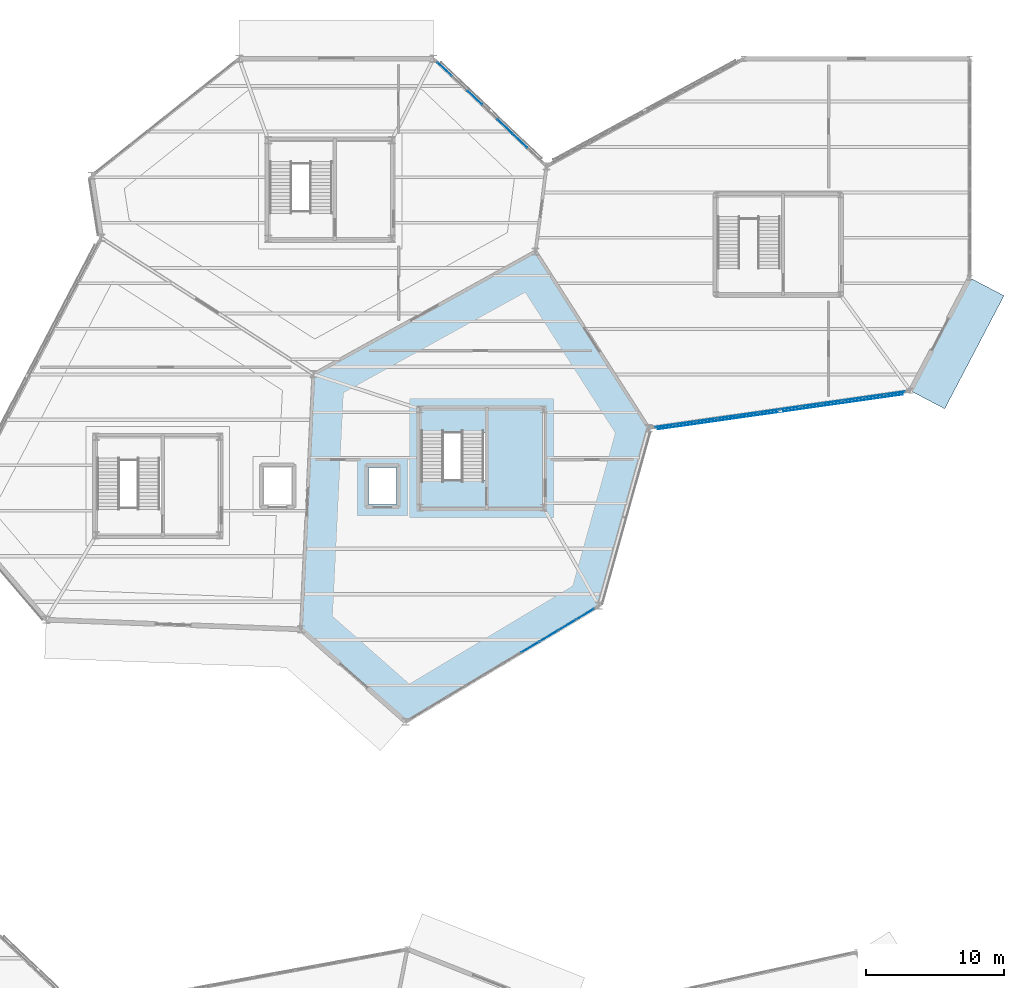
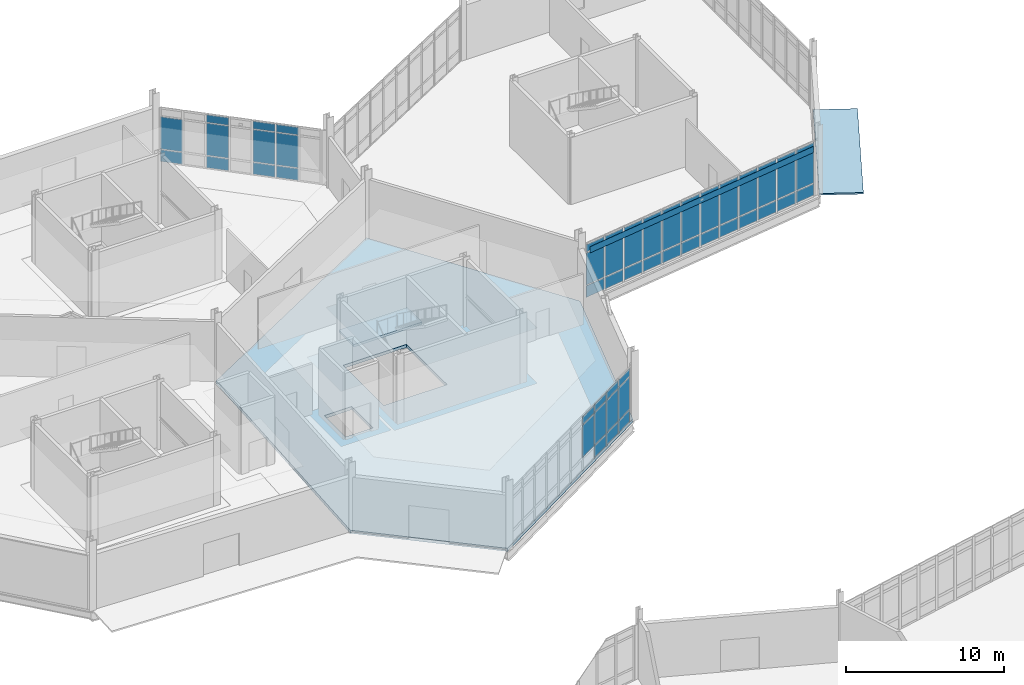
# One storey, part 82 of 113: 59 plates, 3 slabs, 4 elements without a shape of their own.
"""IFC4 building model written with IfcOpenShell, lengths in metres."""

from ifc_helpers import new_model, si_unit, direction, frame, origin, origin_2d, place, context, subcontext, project, spatial, polyline, rectangle, outline, extrude, material, layer, layer_set, type_object, element, aggregate, save


model = new_model("IFC4")

# Units and contexts
model_context = context("Model", 3, precision=1e-05, world=origin(), true_north=direction((0.0, 1.0)))
body_context = subcontext(model_context, "Body", "Model", "MODEL_VIEW")
ifc_project = project(units=[si_unit("LENGTHUNIT", "METRE"), si_unit("AREAUNIT", "SQUARE_METRE"), si_unit("VOLUMEUNIT", "CUBIC_METRE"), si_unit("PLANEANGLEUNIT", "RADIAN"), si_unit("MASSUNIT", "GRAM", prefix="KILO")], contexts=[model_context])

# Site, building, storey
site_placement = place(None, origin())
site = spatial("IfcSite", under=ifc_project, at=site_placement, CompositionType="ELEMENT")
building_placement = place(site_placement, origin())
building = spatial("IfcBuilding", under=site, at=building_placement, Name="Tameran Prism Museum", CompositionType="ELEMENT")
storey_placement = place(building_placement, origin())
storey = spatial("IfcBuildingStorey", under=building, at=storey_placement, Name="L00", CompositionType="ELEMENT", Elevation=0.0)

# Curtain wall, plates
ifc_material_1 = material(Name="Anodised Aluminium 6063-T6 and Cyclone Solar Glass", Category="aluminium")
curtain_wall_type_1 = type_object("IfcCurtainWallType", Name="CW-FAC-1563x422", PredefinedType="USERDEFINED", material=ifc_material_1)
curtain_wall_1_placement = place(storey_placement, origin())
curtain_wall_1 = element("IfcCurtainWall", 1, at=curtain_wall_1_placement, inside=storey, type_object=curtain_wall_type_1, Name="Unitised Curtain Wall CW-022", ObjectType="UNITISED CURTAIN WALL", PredefinedType="USERDEFINED")
ifc_material_2 = material(Name="Low-E Laminated Solar Glass", Category="glass")
ifc_layer_1 = layer(ifc_material_2, 0.028076171875)
ifc_layer_set_1 = layer_set([ifc_layer_1])
plate_type_1 = type_object("IfcPlateType", Name="CW-PNL-G28", PredefinedType="CURTAIN_PANEL", material=ifc_layer_set_1)
plate_1_placement = place(storey_placement, frame((138.512939453125, 71.707763671875, 0.080078125), z_axis=(0.0, 0.0, 1.0), x_axis=(-0.857492925713, -0.514495755426, 0.0)))
plate_1 = element("IfcPlate", 2, at=plate_1_placement, type_object=plate_type_1, Name="CW-022 panel 1.1", PredefinedType="CURTAIN_PANEL", context=body_context, shape_type="SweptSolid", body=[
    extrude(rectangle(XDim=1.442626953125, YDim=0.028076171875, at=origin_2d()), origin(), (0.0, 0.0, 1.0), 0.8798828125),
])
plate_2_placement = place(storey_placement, frame((138.512939453125, 71.707763671875, 1.0400390625), z_axis=(0.0, 0.0, 1.0), x_axis=(-0.857492925713, -0.514495755426, 0.0)))
plate_2 = element("IfcPlate", 3, at=plate_2_placement, type_object=plate_type_1, Name="CW-022 panel 1.2", PredefinedType="CURTAIN_PANEL", context=body_context, shape_type="SweptSolid", body=[
    extrude(rectangle(XDim=1.442626953125, YDim=0.028076171875, at=origin_2d()), origin(), (0.0, 0.0, 1.0), 2.4599609375),
])
plate_3_placement = place(storey_placement, frame((138.512939453125, 71.707763671875, 3.580078125), z_axis=(0.0, 0.0, 1.0), x_axis=(-0.857492925713, -0.514495755426, 0.0)))
plate_3 = element("IfcPlate", 4, at=plate_3_placement, type_object=plate_type_1, Name="CW-022 panel 1.3", PredefinedType="CURTAIN_PANEL", context=body_context, shape_type="SweptSolid", body=[
    extrude(rectangle(XDim=1.442626953125, YDim=0.028076171875, at=origin_2d()), origin(), (0.0, 0.0, 1.0), 0.56005859375),
])
plate_4_placement = place(storey_placement, frame((137.18994140625, 70.9140625, 0.080078125), z_axis=(0.0, 0.0, 1.0), x_axis=(-0.857492925713, -0.514495755426, 0.0)))
plate_4 = element("IfcPlate", 5, at=plate_4_placement, type_object=plate_type_1, Name="CW-022 panel 2.1", PredefinedType="CURTAIN_PANEL", context=body_context, shape_type="SweptSolid", body=[
    extrude(rectangle(XDim=1.482666015625, YDim=0.028076171875, at=origin_2d()), origin(), (0.0, 0.0, 1.0), 0.8798828125),
])
plate_5_placement = place(storey_placement, frame((137.18994140625, 70.9140625, 1.0400390625), z_axis=(0.0, 0.0, 1.0), x_axis=(-0.857492925713, -0.514495755426, 0.0)))
plate_5 = element("IfcPlate", 6, at=plate_5_placement, type_object=plate_type_1, Name="CW-022 panel 2.2", PredefinedType="CURTAIN_PANEL", context=body_context, shape_type="SweptSolid", body=[
    extrude(rectangle(XDim=1.482666015625, YDim=0.028076171875, at=origin_2d()), origin(), (0.0, 0.0, 1.0), 2.4599609375),
])
plate_6_placement = place(storey_placement, frame((137.18994140625, 70.9140625, 3.580078125), z_axis=(0.0, 0.0, 1.0), x_axis=(-0.857492925713, -0.514495755426, 0.0)))
plate_6 = element("IfcPlate", 7, at=plate_6_placement, type_object=plate_type_1, Name="CW-022 panel 2.3", PredefinedType="CURTAIN_PANEL", context=body_context, shape_type="SweptSolid", body=[
    extrude(rectangle(XDim=1.482666015625, YDim=0.028076171875, at=origin_2d()), origin(), (0.0, 0.0, 1.0), 0.56005859375),
])
plate_7_placement = place(storey_placement, frame((135.85009765625, 70.110107421875, 0.080078125), z_axis=(0.0, 0.0, 1.0), x_axis=(-0.857492925713, -0.514495755426, 0.0)))
plate_7 = element("IfcPlate", 8, at=plate_7_placement, type_object=plate_type_1, Name="CW-022 panel 3.1", PredefinedType="CURTAIN_PANEL", context=body_context, shape_type="SweptSolid", body=[
    extrude(rectangle(XDim=1.482666015625, YDim=0.028076171875, at=origin_2d()), origin(), (0.0, 0.0, 1.0), 0.8798828125),
])
plate_8_placement = place(storey_placement, frame((135.85009765625, 70.110107421875, 1.0400390625), z_axis=(0.0, 0.0, 1.0), x_axis=(-0.857492925713, -0.514495755426, 0.0)))
plate_8 = element("IfcPlate", 9, at=plate_8_placement, type_object=plate_type_1, Name="CW-022 panel 3.2", PredefinedType="CURTAIN_PANEL", context=body_context, shape_type="SweptSolid", body=[
    extrude(rectangle(XDim=1.482666015625, YDim=0.028076171875, at=origin_2d()), origin(), (0.0, 0.0, 1.0), 2.4599609375),
])
plate_9_placement = place(storey_placement, frame((135.85009765625, 70.110107421875, 3.580078125), z_axis=(0.0, 0.0, 1.0), x_axis=(-0.857492925713, -0.514495755426, 0.0)))
plate_9 = element("IfcPlate", 10, at=plate_9_placement, type_object=plate_type_1, Name="CW-022 panel 3.3", PredefinedType="CURTAIN_PANEL", context=body_context, shape_type="SweptSolid", body=[
    extrude(rectangle(XDim=1.482666015625, YDim=0.028076171875, at=origin_2d()), origin(), (0.0, 0.0, 1.0), 0.56005859375),
])
plate_10_placement = place(storey_placement, frame((134.510009765625, 69.305908203125, 1.0400390625), z_axis=(0.0, 0.0, 1.0), x_axis=(-0.857492925713, -0.514495755426, 0.0)))
plate_10 = element("IfcPlate", 11, at=plate_10_placement, type_object=plate_type_1, Name="CW-022 panel 4.2", PredefinedType="CURTAIN_PANEL", context=body_context, shape_type="SweptSolid", body=[
    extrude(rectangle(XDim=1.482666015625, YDim=0.028076171875, at=origin_2d()), origin(), (0.0, 0.0, 1.0), 2.4599609375),
])
plate_11_placement = place(storey_placement, frame((134.510009765625, 69.305908203125, 3.580078125), z_axis=(0.0, 0.0, 1.0), x_axis=(-0.857492925713, -0.514495755426, 0.0)))
plate_11 = element("IfcPlate", 12, at=plate_11_placement, type_object=plate_type_1, Name="CW-022 panel 4.3", PredefinedType="CURTAIN_PANEL", context=body_context, shape_type="SweptSolid", body=[
    extrude(rectangle(XDim=1.482666015625, YDim=0.028076171875, at=origin_2d()), origin(), (0.0, 0.0, 1.0), 0.56005859375),
])
aggregate(curtain_wall_1, [plate_1, plate_2, plate_3, plate_4, plate_5, plate_6, plate_7, plate_8, plate_9, plate_10, plate_11])

ifc_material_3 = material(Name="Anodised Aluminium 6063-T6 and Cyclone Solar Glass", Category="aluminium")
curtain_wall_type_2 = type_object("IfcCurtainWallType", Name="CW-FAC-1843x422", PredefinedType="USERDEFINED", material=ifc_material_3)
curtain_wall_2_placement = place(storey_placement, origin())
curtain_wall_2 = element("IfcCurtainWall", 13, at=curtain_wall_2_placement, inside=storey, type_object=curtain_wall_type_2, Name="Unitised Curtain Wall CW-025", ObjectType="UNITISED CURTAIN WALL", PredefinedType="USERDEFINED")
plate_12_placement = place(storey_placement, frame((160.97412109375, 87.740234375, 0.0751953125), z_axis=(0.0, 0.0, 1.0), x_axis=(-0.990045842067, -0.1407452685, 0.0)))
plate_12 = element("IfcPlate", 14, at=plate_12_placement, type_object=plate_type_1, Name="CW-025 panel 1.1", PredefinedType="CURTAIN_PANEL", context=body_context, shape_type="SweptSolid", body=[
    extrude(rectangle(XDim=1.42333984375, YDim=0.028076171875, at=origin_2d()), origin(), (0.0, 0.0, 1.0), 0.887451171875),
])
plate_13_placement = place(storey_placement, frame((160.97412109375, 87.740234375, 1.03759765625), z_axis=(0.0, 0.0, 1.0), x_axis=(-0.990045842067, -0.1407452685, 0.0)))
plate_13 = element("IfcPlate", 15, at=plate_13_placement, type_object=plate_type_1, Name="CW-025 panel 1.2", PredefinedType="CURTAIN_PANEL", context=body_context, shape_type="SweptSolid", body=[
    extrude(rectangle(XDim=1.42333984375, YDim=0.028076171875, at=origin_2d()), origin(), (0.0, 0.0, 1.0), 2.465087890625),
])
plate_14_placement = place(storey_placement, frame((160.97412109375, 87.740234375, 3.57763671875), z_axis=(0.0, 0.0, 1.0), x_axis=(-0.990045842067, -0.1407452685, 0.0)))
plate_14 = element("IfcPlate", 16, at=plate_14_placement, type_object=plate_type_1, Name="CW-025 panel 1.3", PredefinedType="CURTAIN_PANEL", context=body_context, shape_type="SweptSolid", body=[
    extrude(rectangle(XDim=1.42333984375, YDim=0.028076171875, at=origin_2d()), origin(), (0.0, 0.0, 1.0), 0.5673828125),
])
plate_15_placement = place(storey_placement, frame((159.47216796875, 87.52685546875, 0.0751953125), z_axis=(0.0, 0.0, 1.0), x_axis=(-0.990045842067, -0.1407452685, 0.0)))
plate_15 = element("IfcPlate", 17, at=plate_15_placement, type_object=plate_type_1, Name="CW-025 panel 2.1", PredefinedType="CURTAIN_PANEL", context=body_context, shape_type="SweptSolid", body=[
    extrude(rectangle(XDim=1.4609375, YDim=0.028076171875, at=origin_2d()), origin(), (0.0, 0.0, 1.0), 0.887451171875),
])
plate_16_placement = place(storey_placement, frame((159.47216796875, 87.52685546875, 1.03759765625), z_axis=(0.0, 0.0, 1.0), x_axis=(-0.990045842067, -0.1407452685, 0.0)))
plate_16 = element("IfcPlate", 18, at=plate_16_placement, type_object=plate_type_1, Name="CW-025 panel 2.2", PredefinedType="CURTAIN_PANEL", context=body_context, shape_type="SweptSolid", body=[
    extrude(rectangle(XDim=1.4609375, YDim=0.028076171875, at=origin_2d()), origin(), (0.0, 0.0, 1.0), 2.465087890625),
])
plate_17_placement = place(storey_placement, frame((159.47216796875, 87.52685546875, 3.57763671875), z_axis=(0.0, 0.0, 1.0), x_axis=(-0.990045842067, -0.1407452685, 0.0)))
plate_17 = element("IfcPlate", 19, at=plate_17_placement, type_object=plate_type_1, Name="CW-025 panel 2.3", PredefinedType="CURTAIN_PANEL", context=body_context, shape_type="SweptSolid", body=[
    extrude(rectangle(XDim=1.4609375, YDim=0.028076171875, at=origin_2d()), origin(), (0.0, 0.0, 1.0), 0.5673828125),
])
plate_18_placement = place(storey_placement, frame((157.95166015625, 87.310546875, 0.0751953125), z_axis=(0.0, 0.0, 1.0), x_axis=(-0.990045842067, -0.1407452685, 0.0)))
plate_18 = element("IfcPlate", 20, at=plate_18_placement, type_object=plate_type_1, Name="CW-025 panel 3.1", PredefinedType="CURTAIN_PANEL", context=body_context, shape_type="SweptSolid", body=[
    extrude(rectangle(XDim=1.4609375, YDim=0.028076171875, at=origin_2d()), origin(), (0.0, 0.0, 1.0), 0.887451171875),
])
plate_19_placement = place(storey_placement, frame((157.95166015625, 87.310546875, 1.03759765625), z_axis=(0.0, 0.0, 1.0), x_axis=(-0.990045842067, -0.1407452685, 0.0)))
plate_19 = element("IfcPlate", 21, at=plate_19_placement, type_object=plate_type_1, Name="CW-025 panel 3.2", PredefinedType="CURTAIN_PANEL", context=body_context, shape_type="SweptSolid", body=[
    extrude(rectangle(XDim=1.4609375, YDim=0.028076171875, at=origin_2d()), origin(), (0.0, 0.0, 1.0), 2.465087890625),
])
plate_20_placement = place(storey_placement, frame((157.95166015625, 87.310546875, 3.57763671875), z_axis=(0.0, 0.0, 1.0), x_axis=(-0.990045842067, -0.1407452685, 0.0)))
plate_20 = element("IfcPlate", 22, at=plate_20_placement, type_object=plate_type_1, Name="CW-025 panel 3.3", PredefinedType="CURTAIN_PANEL", context=body_context, shape_type="SweptSolid", body=[
    extrude(rectangle(XDim=1.4609375, YDim=0.028076171875, at=origin_2d()), origin(), (0.0, 0.0, 1.0), 0.5673828125),
])
plate_21_placement = place(storey_placement, frame((156.430908203125, 87.094482421875, 0.0751953125), z_axis=(0.0, 0.0, 1.0), x_axis=(-0.990045842067, -0.1407452685, 0.0)))
plate_21 = element("IfcPlate", 23, at=plate_21_placement, type_object=plate_type_1, Name="CW-025 panel 4.1", PredefinedType="CURTAIN_PANEL", context=body_context, shape_type="SweptSolid", body=[
    extrude(rectangle(XDim=1.4609375, YDim=0.028076171875, at=origin_2d()), origin(), (0.0, 0.0, 1.0), 0.887451171875),
])
plate_22_placement = place(storey_placement, frame((156.430908203125, 87.094482421875, 1.03759765625), z_axis=(0.0, 0.0, 1.0), x_axis=(-0.990045842067, -0.1407452685, 0.0)))
plate_22 = element("IfcPlate", 24, at=plate_22_placement, type_object=plate_type_1, Name="CW-025 panel 4.2", PredefinedType="CURTAIN_PANEL", context=body_context, shape_type="SweptSolid", body=[
    extrude(rectangle(XDim=1.4609375, YDim=0.028076171875, at=origin_2d()), origin(), (0.0, 0.0, 1.0), 2.465087890625),
])
plate_23_placement = place(storey_placement, frame((156.430908203125, 87.094482421875, 3.57763671875), z_axis=(0.0, 0.0, 1.0), x_axis=(-0.990045842067, -0.1407452685, 0.0)))
plate_23 = element("IfcPlate", 25, at=plate_23_placement, type_object=plate_type_1, Name="CW-025 panel 4.3", PredefinedType="CURTAIN_PANEL", context=body_context, shape_type="SweptSolid", body=[
    extrude(rectangle(XDim=1.4609375, YDim=0.028076171875, at=origin_2d()), origin(), (0.0, 0.0, 1.0), 0.5673828125),
])
plate_24_placement = place(storey_placement, frame((154.910400390625, 86.878173828125, 0.0751953125), z_axis=(0.0, 0.0, 1.0), x_axis=(-0.990045842067, -0.1407452685, 0.0)))
plate_24 = element("IfcPlate", 26, at=plate_24_placement, type_object=plate_type_1, Name="CW-025 panel 5.1", PredefinedType="CURTAIN_PANEL", context=body_context, shape_type="SweptSolid", body=[
    extrude(rectangle(XDim=1.4609375, YDim=0.028076171875, at=origin_2d()), origin(), (0.0, 0.0, 1.0), 0.887451171875),
])
plate_25_placement = place(storey_placement, frame((154.910400390625, 86.878173828125, 1.03759765625), z_axis=(0.0, 0.0, 1.0), x_axis=(-0.990045842067, -0.1407452685, 0.0)))
plate_25 = element("IfcPlate", 27, at=plate_25_placement, type_object=plate_type_1, Name="CW-025 panel 5.2", PredefinedType="CURTAIN_PANEL", context=body_context, shape_type="SweptSolid", body=[
    extrude(rectangle(XDim=1.4609375, YDim=0.028076171875, at=origin_2d()), origin(), (0.0, 0.0, 1.0), 2.465087890625),
])
plate_26_placement = place(storey_placement, frame((154.910400390625, 86.878173828125, 3.57763671875), z_axis=(0.0, 0.0, 1.0), x_axis=(-0.990045842067, -0.1407452685, 0.0)))
plate_26 = element("IfcPlate", 28, at=plate_26_placement, type_object=plate_type_1, Name="CW-025 panel 5.3", PredefinedType="CURTAIN_PANEL", context=body_context, shape_type="SweptSolid", body=[
    extrude(rectangle(XDim=1.4609375, YDim=0.028076171875, at=origin_2d()), origin(), (0.0, 0.0, 1.0), 0.5673828125),
])
plate_27_placement = place(storey_placement, frame((153.389892578125, 86.662109375, 0.0751953125), z_axis=(0.0, 0.0, 1.0), x_axis=(-0.990045842067, -0.1407452685, 0.0)))
plate_27 = element("IfcPlate", 29, at=plate_27_placement, type_object=plate_type_1, Name="CW-025 panel 6.1", PredefinedType="CURTAIN_PANEL", context=body_context, shape_type="SweptSolid", body=[
    extrude(rectangle(XDim=1.4609375, YDim=0.028076171875, at=origin_2d()), origin(), (0.0, 0.0, 1.0), 0.887451171875),
])
plate_28_placement = place(storey_placement, frame((153.389892578125, 86.662109375, 1.03759765625), z_axis=(0.0, 0.0, 1.0), x_axis=(-0.990045842067, -0.1407452685, 0.0)))
plate_28 = element("IfcPlate", 30, at=plate_28_placement, type_object=plate_type_1, Name="CW-025 panel 6.2", PredefinedType="CURTAIN_PANEL", context=body_context, shape_type="SweptSolid", body=[
    extrude(rectangle(XDim=1.4609375, YDim=0.028076171875, at=origin_2d()), origin(), (0.0, 0.0, 1.0), 2.465087890625),
])
plate_29_placement = place(storey_placement, frame((153.389892578125, 86.662109375, 3.57763671875), z_axis=(0.0, 0.0, 1.0), x_axis=(-0.990045842067, -0.1407452685, 0.0)))
plate_29 = element("IfcPlate", 31, at=plate_29_placement, type_object=plate_type_1, Name="CW-025 panel 6.3", PredefinedType="CURTAIN_PANEL", context=body_context, shape_type="SweptSolid", body=[
    extrude(rectangle(XDim=1.4609375, YDim=0.028076171875, at=origin_2d()), origin(), (0.0, 0.0, 1.0), 0.5673828125),
])
plate_30_placement = place(storey_placement, frame((151.869140625, 86.44580078125, 0.0751953125), z_axis=(0.0, 0.0, 1.0), x_axis=(-0.990045842067, -0.1407452685, 0.0)))
plate_30 = element("IfcPlate", 32, at=plate_30_placement, type_object=plate_type_1, Name="CW-025 panel 7.1", PredefinedType="CURTAIN_PANEL", context=body_context, shape_type="SweptSolid", body=[
    extrude(rectangle(XDim=1.4609375, YDim=0.028076171875, at=origin_2d()), origin(), (0.0, 0.0, 1.0), 0.887451171875),
])
plate_31_placement = place(storey_placement, frame((151.869140625, 86.44580078125, 1.03759765625), z_axis=(0.0, 0.0, 1.0), x_axis=(-0.990045842067, -0.1407452685, 0.0)))
plate_31 = element("IfcPlate", 33, at=plate_31_placement, type_object=plate_type_1, Name="CW-025 panel 7.2", PredefinedType="CURTAIN_PANEL", context=body_context, shape_type="SweptSolid", body=[
    extrude(rectangle(XDim=1.4609375, YDim=0.028076171875, at=origin_2d()), origin(), (0.0, 0.0, 1.0), 2.465087890625),
])
plate_32_placement = place(storey_placement, frame((151.869140625, 86.44580078125, 3.57763671875), z_axis=(0.0, 0.0, 1.0), x_axis=(-0.990045842067, -0.1407452685, 0.0)))
plate_32 = element("IfcPlate", 34, at=plate_32_placement, type_object=plate_type_1, Name="CW-025 panel 7.3", PredefinedType="CURTAIN_PANEL", context=body_context, shape_type="SweptSolid", body=[
    extrude(rectangle(XDim=1.4609375, YDim=0.028076171875, at=origin_2d()), origin(), (0.0, 0.0, 1.0), 0.5673828125),
])
plate_33_placement = place(storey_placement, frame((150.3486328125, 86.229736328125, 0.0751953125), z_axis=(0.0, 0.0, 1.0), x_axis=(-0.990045842067, -0.1407452685, 0.0)))
plate_33 = element("IfcPlate", 35, at=plate_33_placement, type_object=plate_type_1, Name="CW-025 panel 8.1", PredefinedType="CURTAIN_PANEL", context=body_context, shape_type="SweptSolid", body=[
    extrude(rectangle(XDim=1.4609375, YDim=0.028076171875, at=origin_2d()), origin(), (0.0, 0.0, 1.0), 0.887451171875),
])
plate_34_placement = place(storey_placement, frame((150.3486328125, 86.229736328125, 1.03759765625), z_axis=(0.0, 0.0, 1.0), x_axis=(-0.990045842067, -0.1407452685, 0.0)))
plate_34 = element("IfcPlate", 36, at=plate_34_placement, type_object=plate_type_1, Name="CW-025 panel 8.2", PredefinedType="CURTAIN_PANEL", context=body_context, shape_type="SweptSolid", body=[
    extrude(rectangle(XDim=1.4609375, YDim=0.028076171875, at=origin_2d()), origin(), (0.0, 0.0, 1.0), 2.465087890625),
])
plate_35_placement = place(storey_placement, frame((150.3486328125, 86.229736328125, 3.57763671875), z_axis=(0.0, 0.0, 1.0), x_axis=(-0.990045842067, -0.1407452685, 0.0)))
plate_35 = element("IfcPlate", 37, at=plate_35_placement, type_object=plate_type_1, Name="CW-025 panel 8.3", PredefinedType="CURTAIN_PANEL", context=body_context, shape_type="SweptSolid", body=[
    extrude(rectangle(XDim=1.4609375, YDim=0.028076171875, at=origin_2d()), origin(), (0.0, 0.0, 1.0), 0.5673828125),
])
plate_36_placement = place(storey_placement, frame((148.828125, 86.013671875, 0.0751953125), z_axis=(0.0, 0.0, 1.0), x_axis=(-0.990045842067, -0.1407452685, 0.0)))
plate_36 = element("IfcPlate", 38, at=plate_36_placement, type_object=plate_type_1, Name="CW-025 panel 9.1", PredefinedType="CURTAIN_PANEL", context=body_context, shape_type="SweptSolid", body=[
    extrude(rectangle(XDim=1.4609375, YDim=0.028076171875, at=origin_2d()), origin(), (0.0, 0.0, 1.0), 0.887451171875),
])
plate_37_placement = place(storey_placement, frame((148.828125, 86.013671875, 1.03759765625), z_axis=(0.0, 0.0, 1.0), x_axis=(-0.990045842067, -0.1407452685, 0.0)))
plate_37 = element("IfcPlate", 39, at=plate_37_placement, type_object=plate_type_1, Name="CW-025 panel 9.2", PredefinedType="CURTAIN_PANEL", context=body_context, shape_type="SweptSolid", body=[
    extrude(rectangle(XDim=1.4609375, YDim=0.028076171875, at=origin_2d()), origin(), (0.0, 0.0, 1.0), 2.465087890625),
])
plate_38_placement = place(storey_placement, frame((148.828125, 86.013671875, 3.57763671875), z_axis=(0.0, 0.0, 1.0), x_axis=(-0.990045842067, -0.1407452685, 0.0)))
plate_38 = element("IfcPlate", 40, at=plate_38_placement, type_object=plate_type_1, Name="CW-025 panel 9.3", PredefinedType="CURTAIN_PANEL", context=body_context, shape_type="SweptSolid", body=[
    extrude(rectangle(XDim=1.4609375, YDim=0.028076171875, at=origin_2d()), origin(), (0.0, 0.0, 1.0), 0.5673828125),
])
plate_39_placement = place(storey_placement, frame((147.307373046875, 85.79736328125, 0.0751953125), z_axis=(0.0, 0.0, 1.0), x_axis=(-0.990045842067, -0.1407452685, 0.0)))
plate_39 = element("IfcPlate", 41, at=plate_39_placement, type_object=plate_type_1, Name="CW-025 panel 10.1", PredefinedType="CURTAIN_PANEL", context=body_context, shape_type="SweptSolid", body=[
    extrude(rectangle(XDim=1.4609375, YDim=0.028076171875, at=origin_2d()), origin(), (0.0, 0.0, 1.0), 0.887451171875),
])
plate_40_placement = place(storey_placement, frame((147.307373046875, 85.79736328125, 1.03759765625), z_axis=(0.0, 0.0, 1.0), x_axis=(-0.990045842067, -0.1407452685, 0.0)))
plate_40 = element("IfcPlate", 42, at=plate_40_placement, type_object=plate_type_1, Name="CW-025 panel 10.2", PredefinedType="CURTAIN_PANEL", context=body_context, shape_type="SweptSolid", body=[
    extrude(rectangle(XDim=1.4609375, YDim=0.028076171875, at=origin_2d()), origin(), (0.0, 0.0, 1.0), 2.465087890625),
])
plate_41_placement = place(storey_placement, frame((147.307373046875, 85.79736328125, 3.57763671875), z_axis=(0.0, 0.0, 1.0), x_axis=(-0.990045842067, -0.1407452685, 0.0)))
plate_41 = element("IfcPlate", 43, at=plate_41_placement, type_object=plate_type_1, Name="CW-025 panel 10.3", PredefinedType="CURTAIN_PANEL", context=body_context, shape_type="SweptSolid", body=[
    extrude(rectangle(XDim=1.4609375, YDim=0.028076171875, at=origin_2d()), origin(), (0.0, 0.0, 1.0), 0.5673828125),
])
plate_42_placement = place(storey_placement, frame((145.786865234375, 85.581298828125, 0.0751953125), z_axis=(0.0, 0.0, 1.0), x_axis=(-0.990045842067, -0.1407452685, 0.0)))
plate_42 = element("IfcPlate", 44, at=plate_42_placement, type_object=plate_type_1, Name="CW-025 panel 11.1", PredefinedType="CURTAIN_PANEL", context=body_context, shape_type="SweptSolid", body=[
    extrude(rectangle(XDim=1.4609375, YDim=0.028076171875, at=origin_2d()), origin(), (0.0, 0.0, 1.0), 0.887451171875),
])
plate_43_placement = place(storey_placement, frame((145.786865234375, 85.581298828125, 1.03759765625), z_axis=(0.0, 0.0, 1.0), x_axis=(-0.990045842067, -0.1407452685, 0.0)))
plate_43 = element("IfcPlate", 45, at=plate_43_placement, type_object=plate_type_1, Name="CW-025 panel 11.2", PredefinedType="CURTAIN_PANEL", context=body_context, shape_type="SweptSolid", body=[
    extrude(rectangle(XDim=1.4609375, YDim=0.028076171875, at=origin_2d()), origin(), (0.0, 0.0, 1.0), 2.465087890625),
])
plate_44_placement = place(storey_placement, frame((145.786865234375, 85.581298828125, 3.57763671875), z_axis=(0.0, 0.0, 1.0), x_axis=(-0.990045842067, -0.1407452685, 0.0)))
plate_44 = element("IfcPlate", 46, at=plate_44_placement, type_object=plate_type_1, Name="CW-025 panel 11.3", PredefinedType="CURTAIN_PANEL", context=body_context, shape_type="SweptSolid", body=[
    extrude(rectangle(XDim=1.4609375, YDim=0.028076171875, at=origin_2d()), origin(), (0.0, 0.0, 1.0), 0.5673828125),
])
plate_45_placement = place(storey_placement, frame((144.284912109375, 85.36767578125, 0.0751953125), z_axis=(0.0, 0.0, 1.0), x_axis=(-0.990045842067, -0.1407452685, 0.0)))
plate_45 = element("IfcPlate", 47, at=plate_45_placement, type_object=plate_type_1, Name="CW-025 panel 12.1", PredefinedType="CURTAIN_PANEL", context=body_context, shape_type="SweptSolid", body=[
    extrude(rectangle(XDim=1.42333984375, YDim=0.028076171875, at=origin_2d()), origin(), (0.0, 0.0, 1.0), 0.887451171875),
])
plate_46_placement = place(storey_placement, frame((144.284912109375, 85.36767578125, 1.03759765625), z_axis=(0.0, 0.0, 1.0), x_axis=(-0.990045842067, -0.1407452685, 0.0)))
plate_46 = element("IfcPlate", 48, at=plate_46_placement, type_object=plate_type_1, Name="CW-025 panel 12.2", PredefinedType="CURTAIN_PANEL", context=body_context, shape_type="SweptSolid", body=[
    extrude(rectangle(XDim=1.42333984375, YDim=0.028076171875, at=origin_2d()), origin(), (0.0, 0.0, 1.0), 2.465087890625),
])
plate_47_placement = place(storey_placement, frame((144.284912109375, 85.36767578125, 3.57763671875), z_axis=(0.0, 0.0, 1.0), x_axis=(-0.990045842067, -0.1407452685, 0.0)))
plate_47 = element("IfcPlate", 49, at=plate_47_placement, type_object=plate_type_1, Name="CW-025 panel 12.3", PredefinedType="CURTAIN_PANEL", context=body_context, shape_type="SweptSolid", body=[
    extrude(rectangle(XDim=1.42333984375, YDim=0.028076171875, at=origin_2d()), origin(), (0.0, 0.0, 1.0), 0.5673828125),
])
aggregate(curtain_wall_2, [plate_12, plate_13, plate_14, plate_15, plate_16, plate_17, plate_18, plate_19, plate_20, plate_21, plate_22, plate_23, plate_24, plate_25, plate_26, plate_27, plate_28, plate_29, plate_30, plate_31, plate_32, plate_33, plate_34, plate_35, plate_36, plate_37, plate_38, plate_39, plate_40, plate_41, plate_42, plate_43, plate_44, plate_45, plate_46, plate_47])

ifc_material_4 = material(Name="Anodised Aluminium 6063-T6 and Cyclone Solar Glass", Category="aluminium")
curtain_wall_type_3 = type_object("IfcCurtainWallType", Name="CW-FAC-1056x422", PredefinedType="USERDEFINED", material=ifc_material_4)
curtain_wall_3_placement = place(storey_placement, origin())
curtain_wall_3 = element("IfcCurtainWall", 50, at=curtain_wall_3_placement, inside=storey, type_object=curtain_wall_type_3, Name="Unitised Curtain Wall CW-023", ObjectType="UNITISED CURTAIN WALL", PredefinedType="USERDEFINED")
ifc_material_5 = material(Name="Cyclone Laminated Solar Glass", Category="glass")
ifc_layer_2 = layer(ifc_material_5, 0.031982421875)
ifc_layer_set_2 = layer_set([ifc_layer_2])
plate_type_2 = type_object("IfcPlateType", Name="CW-PNL-G32", PredefinedType="CURTAIN_PANEL", material=ifc_layer_set_2)
plate_48_placement = place(storey_placement, frame((128.31201171875, 111.22802734375, 0.06494140625), z_axis=(0.0, 0.0, 1.0), x_axis=(0.724504990922, -0.689269554042, 0.0)))
plate_48 = element("IfcPlate", 51, at=plate_48_placement, type_object=plate_type_2, Name="CW-023 panel 1.1", PredefinedType="CURTAIN_PANEL", context=body_context, shape_type="SweptSolid", body=[
    extrude(rectangle(XDim=1.41064453125, YDim=0.031982421875, at=origin_2d()), origin(), (0.0, 0.0, 1.0), 0.902587890625),
])
plate_49_placement = place(storey_placement, frame((128.31201171875, 111.22802734375, 1.032470703125), z_axis=(0.0, 0.0, 1.0), x_axis=(0.724504990922, -0.689269554042, 0.0)))
plate_49 = element("IfcPlate", 52, at=plate_49_placement, type_object=plate_type_2, Name="CW-023 panel 1.2", PredefinedType="CURTAIN_PANEL", context=body_context, shape_type="SweptSolid", body=[
    extrude(rectangle(XDim=1.41064453125, YDim=0.031982421875, at=origin_2d()), origin(), (0.0, 0.0, 1.0), 2.47509765625),
])
plate_50_placement = place(storey_placement, frame((130.48583984375, 109.16015625, 0.06494140625), z_axis=(0.0, 0.0, 1.0), x_axis=(0.724504990922, -0.689269554042, 0.0)))
plate_50 = element("IfcPlate", 53, at=plate_50_placement, type_object=plate_type_2, Name="CW-023 panel 3.1", PredefinedType="CURTAIN_PANEL", context=body_context, shape_type="SweptSolid", body=[
    extrude(rectangle(XDim=1.443115234375, YDim=0.031982421875, at=origin_2d()), origin(), (0.0, 0.0, 1.0), 0.902587890625),
])
plate_51_placement = place(storey_placement, frame((130.48583984375, 109.16015625, 1.032470703125), z_axis=(0.0, 0.0, 1.0), x_axis=(0.724504990922, -0.689269554042, 0.0)))
plate_51 = element("IfcPlate", 54, at=plate_51_placement, type_object=plate_type_2, Name="CW-023 panel 3.2", PredefinedType="CURTAIN_PANEL", context=body_context, shape_type="SweptSolid", body=[
    extrude(rectangle(XDim=1.443115234375, YDim=0.031982421875, at=origin_2d()), origin(), (0.0, 0.0, 1.0), 2.47509765625),
])
plate_52_placement = place(storey_placement, frame((130.48583984375, 109.16015625, 3.572509765625), z_axis=(0.0, 0.0, 1.0), x_axis=(0.724504990922, -0.689269554042, 0.0)))
plate_52 = element("IfcPlate", 55, at=plate_52_placement, type_object=plate_type_2, Name="CW-023 panel 3.3", PredefinedType="CURTAIN_PANEL", context=body_context, shape_type="SweptSolid", body=[
    extrude(rectangle(XDim=1.443115234375, YDim=0.031982421875, at=origin_2d()), origin(), (0.0, 0.0, 1.0), 0.58251953125),
])
plate_53_placement = place(storey_placement, frame((132.671142578125, 107.080810546875, 0.06494140625), z_axis=(0.0, 0.0, 1.0), x_axis=(0.724504990922, -0.689269554042, 0.0)))
plate_53 = element("IfcPlate", 56, at=plate_53_placement, type_object=plate_type_2, Name="CW-023 panel 5.1", PredefinedType="CURTAIN_PANEL", context=body_context, shape_type="SweptSolid", body=[
    extrude(rectangle(XDim=1.443115234375, YDim=0.031982421875, at=origin_2d()), origin(), (0.0, 0.0, 1.0), 0.902587890625),
])
plate_54_placement = place(storey_placement, frame((132.671142578125, 107.080810546875, 1.032470703125), z_axis=(0.0, 0.0, 1.0), x_axis=(0.724504990922, -0.689269554042, 0.0)))
plate_54 = element("IfcPlate", 57, at=plate_54_placement, type_object=plate_type_2, Name="CW-023 panel 5.2", PredefinedType="CURTAIN_PANEL", context=body_context, shape_type="SweptSolid", body=[
    extrude(rectangle(XDim=1.443115234375, YDim=0.031982421875, at=origin_2d()), origin(), (0.0, 0.0, 1.0), 2.47509765625),
])
plate_55_placement = place(storey_placement, frame((132.671142578125, 107.080810546875, 3.572509765625), z_axis=(0.0, 0.0, 1.0), x_axis=(0.724504990922, -0.689269554042, 0.0)))
plate_55 = element("IfcPlate", 58, at=plate_55_placement, type_object=plate_type_2, Name="CW-023 panel 5.3", PredefinedType="CURTAIN_PANEL", context=body_context, shape_type="SweptSolid", body=[
    extrude(rectangle(XDim=1.443115234375, YDim=0.031982421875, at=origin_2d()), origin(), (0.0, 0.0, 1.0), 0.58251953125),
])
plate_56_placement = place(storey_placement, frame((133.763916015625, 106.041259765625, 0.06494140625), z_axis=(0.0, 0.0, 1.0), x_axis=(0.724504990922, -0.689269554042, 0.0)))
plate_56 = element("IfcPlate", 59, at=plate_56_placement, type_object=plate_type_2, Name="CW-023 panel 6.1", PredefinedType="CURTAIN_PANEL", context=body_context, shape_type="SweptSolid", body=[
    extrude(rectangle(XDim=1.443115234375, YDim=0.031982421875, at=origin_2d()), origin(), (0.0, 0.0, 1.0), 0.902587890625),
])
plate_57_placement = place(storey_placement, frame((133.763916015625, 106.041259765625, 1.032470703125), z_axis=(0.0, 0.0, 1.0), x_axis=(0.724504990922, -0.689269554042, 0.0)))
plate_57 = element("IfcPlate", 60, at=plate_57_placement, type_object=plate_type_2, Name="CW-023 panel 6.2", PredefinedType="CURTAIN_PANEL", context=body_context, shape_type="SweptSolid", body=[
    extrude(rectangle(XDim=1.443115234375, YDim=0.031982421875, at=origin_2d()), origin(), (0.0, 0.0, 1.0), 2.47509765625),
])
plate_58_placement = place(storey_placement, frame((133.763916015625, 106.041259765625, 3.572509765625), z_axis=(0.0, 0.0, 1.0), x_axis=(0.724504990922, -0.689269554042, 0.0)))
plate_58 = element("IfcPlate", 61, at=plate_58_placement, type_object=plate_type_2, Name="CW-023 panel 6.3", PredefinedType="CURTAIN_PANEL", context=body_context, shape_type="SweptSolid", body=[
    extrude(rectangle(XDim=1.443115234375, YDim=0.031982421875, at=origin_2d()), origin(), (0.0, 0.0, 1.0), 0.58251953125),
])
aggregate(curtain_wall_3, [plate_48, plate_49, plate_50, plate_51, plate_52, plate_53, plate_54, plate_55, plate_56, plate_57, plate_58])

# Plate
ifc_material_6 = material(Name="Perforated Marine Aluminium Storm Screen", Category="aluminium")
ifc_layer_3 = layer(ifc_material_6, 0.011962890625)
ifc_layer_set_3 = layer_set([ifc_layer_3])
plate_type_3 = type_object("IfcPlateType", Name="CW-PNL-P12", PredefinedType="SHEET", material=ifc_layer_set_3)
plate_59_placement = place(storey_placement, frame((152.655029296875, 86.3759765625, 3.530029296875), z_axis=(0.0, 0.0, 1.0), x_axis=(-0.990048234542, -0.140728438067, 0.0)))
element("IfcPlate", 62, at=plate_59_placement, inside=storey, type_object=plate_type_3, Name="Cyclone Perforated Sun-Breaker SS-003", PredefinedType="SHEET", context=body_context, shape_type="SweptSolid", body=[
    extrude(rectangle(XDim=17.930908203125, YDim=0.02001953125, at=origin_2d()), origin(), (0.0, 0.0, 1.0), 0.47998046875),
])

# Slab
ifc_material_7 = material(Name="Concrete N40 (40 MPa)", Category="concrete")
ifc_layer_4 = layer(ifc_material_7, 0.239990234375)
ifc_layer_set_4 = layer_set([ifc_layer_4])
slab_type_1 = type_object("IfcSlabType", Name="SL-FLR-240", PredefinedType="FLOOR", material=ifc_layer_set_4)
slab_1_placement = place(storey_placement, frame((0.0, 0.0, -0.239990234375)))
element("IfcSlab", 63, at=slab_1_placement, inside=storey, type_object=slab_type_1, Name="Floor Slab FS-P02-L00", PredefinedType="FLOOR", context=body_context, shape_type="SweptSolid", body=[
    extrude(outline(polyline([(118.800048828125, 89.10009765625), (134.89990234375, 98.0), (143.10009765625, 85.199951171875), (139.5, 72.300048828125), (125.5, 63.89990234375), (117.89990234375, 70.60009765625), (118.800048828125, 89.10009765625)]), holes=[polyline([(124.800048828125, 79.64990234375), (124.800048828125, 82.35009765625), (122.800048828125, 82.35009765625), (122.800048828125, 79.64990234375), (124.800048828125, 79.64990234375)]), polyline([(131.219970703125, 81.43994140625), (131.219970703125, 86.550048828125), (126.60009765625, 86.550048828125), (126.60009765625, 81.43994140625), (131.219970703125, 81.43994140625)])]), origin(), (0.0, 0.0, 1.0), 0.239990234375),
])

# Stair, slab
ifc_material_8 = material(Name="Concrete N40 (40 MPa)", Category="concrete")
stair_type = type_object("IfcStairType", Name="ST-CORE-54", PredefinedType="HALF_TURN_STAIR", material=ifc_material_8)
stair_placement = place(storey_placement, origin())
stair = element("IfcStair", 64, at=stair_placement, inside=storey, type_object=stair_type, Name="Fire-Isolated Stair ST-02-L00", PredefinedType="HALF_TURN_STAIR")
ifc_material_9 = material(Name="Concrete N40 (40 MPa)", Category="concrete")
ifc_layer_5 = layer(ifc_material_9, 0.18505859375)
ifc_layer_set_5 = layer_set([ifc_layer_5])
slab_type_2 = type_object("IfcSlabType", Name="SL-LND-185", PredefinedType="LANDING", material=ifc_layer_set_5)
slab_2_placement = place(storey_placement, frame((0.0, 0.0, 2.514892578125)))
slab_2 = element("IfcSlab", 65, at=slab_2_placement, type_object=slab_type_2, Name="ST-02-L00 landing 1", PredefinedType="LANDING", context=body_context, shape_type="SweptSolid", body=[
    extrude(outline(polyline([(126.3798828125, 84.85009765625), (131.3701171875, 84.85009765625), (131.3701171875, 86.719970703125), (126.3798828125, 86.719970703125), (126.3798828125, 84.85009765625)])), origin(), (0.0, 0.0, 1.0), 0.18505859375),
])
aggregate(stair, [slab_2])

# Slab
ifc_material_10 = material(Name="Concrete N32 (32 MPa)", Category="concrete")
ifc_layer_6 = layer(ifc_material_10, 0.1201171875)
ifc_layer_set_6 = layer_set([ifc_layer_6])
slab_type_3 = type_object("IfcSlabType", Name="SL-PAV-120", PredefinedType="USERDEFINED", material=ifc_layer_set_6)
slab_3_placement = place(storey_placement, frame((0.0, 0.0, -0.1201171875)))
element("IfcSlab", 66, at=slab_3_placement, inside=storey, type_object=slab_type_3, Name="Exterior Forecourt Paving Slab AP-13", ObjectType="PAVING", PredefinedType="USERDEFINED", context=body_context, shape_type="SweptSolid", body=[
    extrude(outline(polyline([(168.8798828125, 94.800048828125), (164.580078125, 86.60009765625), (162.10009765625, 87.89990234375), (166.39990234375, 96.10009765625), (168.8798828125, 94.800048828125)])), origin(), (0.0, 0.0, 1.0), 0.1201171875),
])

save(model, "model.ifc")
